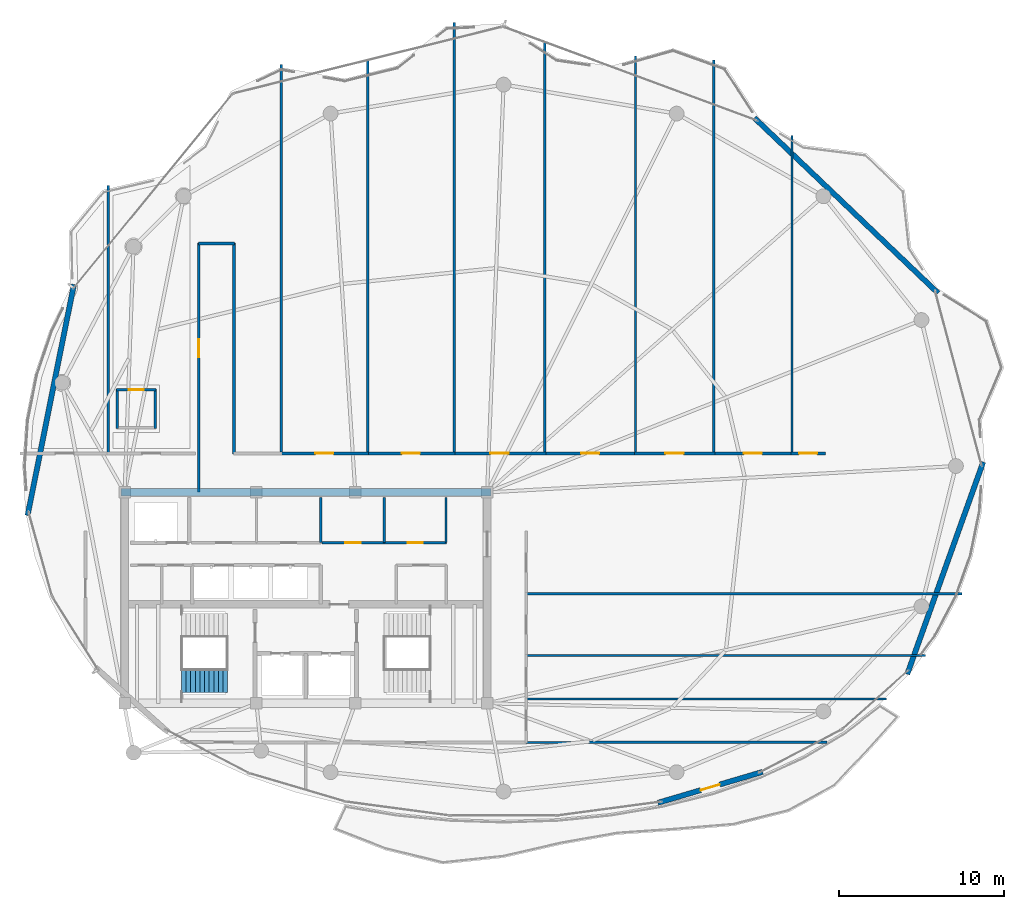
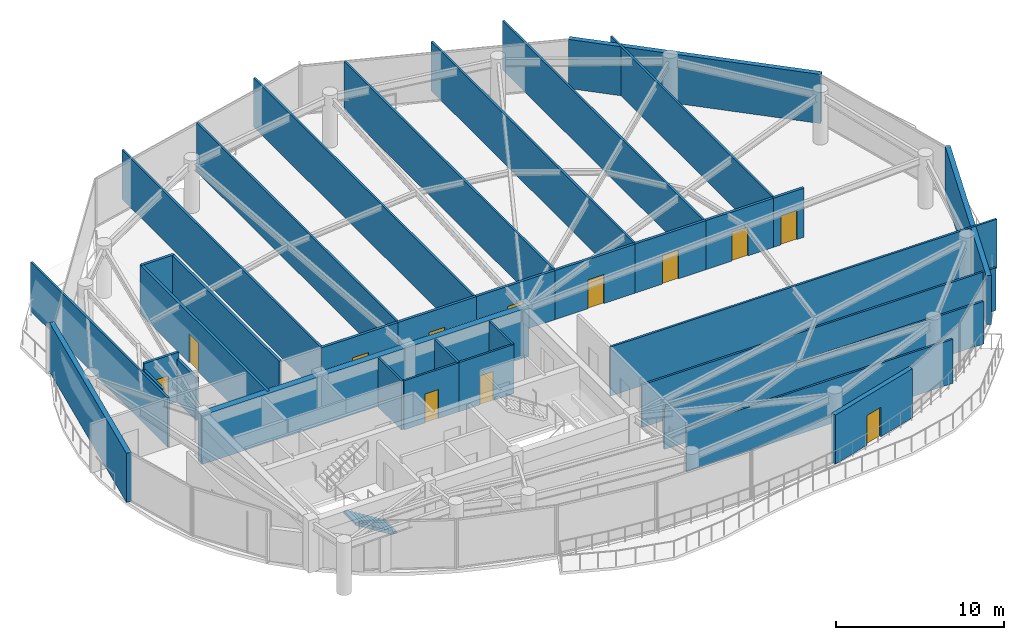
# One storey, part 25 of 29: 35 walls, 12 doors, 1 stair flight, 12 openings, 1 element without a shape of its own.
"""IFC4 building model written with IfcOpenShell, lengths in metres."""

from ifc_helpers import new_model, si_unit, direction, frame, frame_2d, origin, place, context, subcontext, project, spatial, polyline, rectangle, outline, extrude, material, layer, layer_set, type_object, element, fill, aggregate, save


model = new_model("IFC4")

# Units and contexts
model_context = context("Model", 3, precision=1e-05, world=origin(), true_north=direction((0.0, 1.0)))
body_context = subcontext(model_context, "Body", "Model", "MODEL_VIEW")
ifc_project = project(units=[si_unit("LENGTHUNIT", "METRE"), si_unit("AREAUNIT", "SQUARE_METRE"), si_unit("VOLUMEUNIT", "CUBIC_METRE"), si_unit("PLANEANGLEUNIT", "RADIAN"), si_unit("MASSUNIT", "GRAM", prefix="KILO")], contexts=[model_context])

# Site, building, storey
site_placement = place(None, origin())
site = spatial("IfcSite", under=ifc_project, at=site_placement, CompositionType="ELEMENT")
building_placement = place(site_placement, origin())
building = spatial("IfcBuilding", under=site, at=building_placement, Name="Kazevale Care Tower and Concert Hall", CompositionType="ELEMENT")
storey_placement = place(building_placement, frame((0.0, 0.0, 285.199951171875)))
storey = spatial("IfcBuildingStorey", under=building, at=storey_placement, Name="L75", CompositionType="ELEMENT", Elevation=285.199951171875)

# Wall
ifc_material_1 = material(Name="Acoustic Gypsum on Steel Stud", Category="steel")
ifc_layer_1 = layer(ifc_material_1, 0.139892578125)
ifc_layer_set_1 = layer_set([ifc_layer_1], Name="Acoustic Gypsum on Steel Stud")
wall_type_1 = type_object("IfcWallType", Name="Acoustic Care & Suite Partition 140", PredefinedType="PARTITIONING", material=ifc_layer_set_1)
wall_1_placement = place(storey_placement, frame((33.89990234375, 33.35009765625, 0.0), z_axis=(0.0, 0.0, 1.0), x_axis=(0.0, 1.0, 0.0)))
element("IfcWall", 1, at=wall_1_placement, inside=storey, type_object=wall_type_1, Name="wall:L75:c_rpl_e", PredefinedType="PARTITIONING", context=body_context, shape_type="SweptSolid", body=[
    extrude(rectangle(XDim=2.75, YDim=0.139892578125, at=frame_2d((1.375, 0.0))), origin(), (0.0, 0.0, 1.0), 3.56005859375),
])

# Wall, opening, door
wall_2_placement = place(storey_placement, frame((33.97998046875, 33.35009765625, 0.0), z_axis=(0.0, 0.0, 1.0), x_axis=(1.0, 0.0, 0.0)))
wall_2 = element("IfcWall", 2, at=wall_2_placement, inside=storey, type_object=wall_type_1, Name="wall:L75:c_rpm1_s", PredefinedType="PARTITIONING", context=body_context, shape_type="SweptSolid", body=[
    extrude(rectangle(XDim=3.77001953125, YDim=0.139892578125, at=frame_2d((1.885009765625, 0.0))), origin(), (0.0, 0.0, 1.0), 3.56005859375),
])
opening_1_placement = place(wall_2_placement, frame((1.425048828125, 0.0, 0.0)))
opening_1 = element("IfcOpeningElement", 3, at=opening_1_placement, cuts=wall_2, Name="Opening ID-900", PredefinedType="OPENING", context=body_context, shape_type="SweptSolid", body=[
    extrude(rectangle(XDim=0.919921875, YDim=2.10009765625, at=frame_2d((0.4599609375, 1.050048828125))), frame((0.0, 0.079833984375, 0.0), z_axis=(0.0, -1.0, 0.0), x_axis=(1.0, 0.0, 0.0)), (0.0, 0.0, 1.0), 0.159912109375),
])
ifc_material_2 = material(Name="Oak Timber Fire Leaf", Category="wood")
door_type_1 = type_object("IfcDoorType", Name="Bathroom & Service Door 920x2100", OperationType="NOTDEFINED", PredefinedType="DOOR", material=ifc_material_2)
door_1_placement = place(opening_1_placement, origin())
door_1 = element("IfcDoor", 4, at=door_1_placement, inside=storey, type_object=door_type_1, Name="door:L75:d_rpm1", OperationType="SINGLE_SWING_LEFT", OverallHeight=2.10009765625, OverallWidth=0.919921875, PredefinedType="DOOR", context=body_context, shape_type="SweptSolid", body=[
    extrude(rectangle(XDim=0.919921875, YDim=2.10009765625, at=frame_2d((0.4599609375, 1.050048828125))), frame((0.0, 0.02490234375, 0.0), z_axis=(0.0, -1.0, 0.0), x_axis=(1.0, 0.0, 0.0)), (0.0, 0.0, 1.0), 0.050048828125),
])
fill(opening_1, door_1)

wall_3_placement = place(storey_placement, frame((37.75, 33.35009765625, 0.0), z_axis=(0.0, 0.0, 1.0), x_axis=(1.0, 0.0, 0.0)))
wall_3 = element("IfcWall", 5, at=wall_3_placement, inside=storey, type_object=wall_type_1, Name="wall:L75:c_rpm2_s", PredefinedType="PARTITIONING", context=body_context, shape_type="SweptSolid", body=[
    extrude(rectangle(XDim=3.77001953125, YDim=0.139892578125, at=frame_2d((1.885009765625, 0.0))), origin(), (0.0, 0.0, 1.0), 3.56005859375),
])
opening_2_placement = place(wall_3_placement, frame((1.425048828125, 0.0, 0.0)))
opening_2 = element("IfcOpeningElement", 6, at=opening_2_placement, cuts=wall_3, Name="Opening ID-900", PredefinedType="OPENING", context=body_context, shape_type="SweptSolid", body=[
    extrude(rectangle(XDim=0.919921875, YDim=2.10009765625, at=frame_2d((0.4599609375, 1.050048828125))), frame((0.0, 0.079833984375, 0.0), z_axis=(0.0, -1.0, 0.0), x_axis=(1.0, 0.0, 0.0)), (0.0, 0.0, 1.0), 0.159912109375),
])
door_2_placement = place(opening_2_placement, origin())
door_2 = element("IfcDoor", 7, at=door_2_placement, inside=storey, type_object=door_type_1, Name="door:L75:d_rpm2", OperationType="SINGLE_SWING_RIGHT", OverallHeight=2.10009765625, OverallWidth=0.919921875, PredefinedType="DOOR", context=body_context, shape_type="SweptSolid", body=[
    extrude(rectangle(XDim=0.919921875, YDim=2.10009765625, at=frame_2d((0.4599609375, 1.050048828125))), frame((0.0, 0.02490234375, 0.0), z_axis=(0.0, -1.0, 0.0), x_axis=(1.0, 0.0, 0.0)), (0.0, 0.0, 1.0), 0.050048828125),
])
fill(opening_2, door_2)

# Walls
for number, where, z_axis, x_axis, name in (
    (8, (37.75, 33.35009765625, 0.0), (0.0, 0.0, 1.0), (0.0, 1.0, 0.0), "wall:L75:c_rpm_m"),
    (9, (41.5, 33.35009765625, 0.0), (0.0, 0.0, 1.0), (0.0, 1.0, 0.0), "wall:L75:c_rpm_e"),
):
    element("IfcWall", number, at=place(storey_placement, frame(where, z_axis=z_axis, x_axis=x_axis)), inside=storey, type_object=wall_type_1, Name=name, PredefinedType="PARTITIONING", context=body_context, shape_type="SweptSolid", body=[
        extrude(rectangle(XDim=2.75, YDim=0.139892578125, at=frame_2d((1.375, 0.0))), origin(), (0.0, 0.0, 1.0), 3.56005859375),
    ])
wall_4_placement = place(storey_placement, frame((21.0, 55.01904296875, 0.0), z_axis=(0.0, 0.0, 1.0), x_axis=(0.0, -1.0, 0.0)))
element("IfcWall", 10, at=wall_4_placement, inside=storey, type_object=wall_type_1, Name="wall:L75:auto_021", PredefinedType="PARTITIONING", context=body_context, shape_type="SweptSolid", body=[
    extrude(rectangle(XDim=16.27392578125, YDim=0.139892578125, at=frame_2d((8.136962890625, 0.0))), origin(), (0.0, 0.0, 1.0), 3.56005859375),
])
wall_5_placement = place(storey_placement, frame((31.5, 62.37890625, 0.0), z_axis=(0.0, 0.0, 1.0), x_axis=(0.0, -1.0, 0.0)))
element("IfcWall", 11, at=wall_5_placement, inside=storey, type_object=wall_type_1, Name="wall:L75:auto_023", PredefinedType="PARTITIONING", context=body_context, shape_type="SweptSolid", body=[
    extrude(rectangle(XDim=23.6337890625, YDim=0.139892578125, at=frame_2d((11.81689453125, 0.0))), origin(), (0.0, 0.0, 1.0), 3.56005859375),
])
wall_6_placement = place(storey_placement, frame((36.75, 62.62158203125, 0.0), z_axis=(0.0, 0.0, 1.0), x_axis=(0.0, -1.0, 0.0)))
element("IfcWall", 12, at=wall_6_placement, inside=storey, type_object=wall_type_1, Name="wall:L75:auto_024", PredefinedType="PARTITIONING", context=body_context, shape_type="SweptSolid", body=[
    extrude(rectangle(XDim=23.87646484375, YDim=0.139892578125, at=frame_2d((11.938232421875, 0.0))), origin(), (0.0, 0.0, 1.0), 3.56005859375),
])
wall_7_placement = place(storey_placement, frame((42.0, 64.905029296875, 0.0), z_axis=(0.0, 0.0, 1.0), x_axis=(0.0, -1.0, 0.0)))
element("IfcWall", 13, at=wall_7_placement, inside=storey, type_object=wall_type_1, Name="wall:L75:auto_025", PredefinedType="PARTITIONING", context=body_context, shape_type="SweptSolid", body=[
    extrude(rectangle(XDim=26.159912109375, YDim=0.139892578125, at=frame_2d((13.080078125, 0.0))), origin(), (0.0, 0.0, 1.0), 3.56005859375),
])
wall_8_placement = place(storey_placement, frame((47.5, 63.71435546875, 0.0), z_axis=(0.0, 0.0, 1.0), x_axis=(0.0, -1.0, 0.0)))
element("IfcWall", 14, at=wall_8_placement, inside=storey, type_object=wall_type_1, Name="wall:L75:auto_026", PredefinedType="PARTITIONING", context=body_context, shape_type="SweptSolid", body=[
    extrude(rectangle(XDim=24.96923828125, YDim=0.139892578125, at=frame_2d((12.484619140625, 0.0))), origin(), (0.0, 0.0, 1.0), 3.56005859375),
])
wall_9_placement = place(storey_placement, frame((53.0, 62.89208984375, 0.0), z_axis=(0.0, 0.0, 1.0), x_axis=(0.0, -1.0, 0.0)))
element("IfcWall", 15, at=wall_9_placement, inside=storey, type_object=wall_type_1, Name="wall:L75:auto_027", PredefinedType="PARTITIONING", context=body_context, shape_type="SweptSolid", body=[
    extrude(rectangle(XDim=24.14697265625, YDim=0.139892578125, at=frame_2d((12.073486328125, 0.0))), origin(), (0.0, 0.0, 1.0), 3.56005859375),
])
wall_10_placement = place(storey_placement, frame((57.75, 62.653076171875, 0.0), z_axis=(0.0, 0.0, 1.0), x_axis=(0.0, -1.0, 0.0)))
element("IfcWall", 16, at=wall_10_placement, inside=storey, type_object=wall_type_1, Name="wall:L75:auto_028", PredefinedType="PARTITIONING", context=body_context, shape_type="SweptSolid", body=[
    extrude(rectangle(XDim=23.907958984375, YDim=0.139892578125, at=frame_2d((11.9541015625, 0.0))), origin(), (0.0, 0.0, 1.0), 3.56005859375),
])
wall_11_placement = place(storey_placement, frame((62.5, 58.06396484375, 0.0), z_axis=(0.0, 0.0, 1.0), x_axis=(0.0, -1.0, 0.0)))
element("IfcWall", 17, at=wall_11_placement, inside=storey, type_object=wall_type_1, Name="wall:L75:auto_029", PredefinedType="PARTITIONING", context=body_context, shape_type="SweptSolid", body=[
    extrude(rectangle(XDim=19.31884765625, YDim=0.139892578125, at=frame_2d((9.659423828125, 0.0))), origin(), (0.0, 0.0, 1.0), 3.56005859375),
])
wall_12_placement = place(storey_placement, frame((46.344970703125, 23.860107421875, 0.0), z_axis=(0.0, 0.0, 1.0), x_axis=(1.0, 0.0, 0.0)))
element("IfcWall", 18, at=wall_12_placement, inside=storey, type_object=wall_type_1, Name="wall:L75:auto_030", PredefinedType="PARTITIONING", context=body_context, shape_type="SweptSolid", body=[
    extrude(rectangle(XDim=21.89794921875, YDim=0.139892578125, at=frame_2d((10.948974609375, 0.0))), origin(), (0.0, 0.0, 1.0), 3.090087890625),
])
wall_13_placement = place(storey_placement, frame((64.62109375, 21.242919921875, 0.0), z_axis=(0.0, 0.0, 1.0), x_axis=(-0.999999524525, -0.000975166183, 0.0)))
element("IfcWall", 19, at=wall_13_placement, inside=storey, type_object=wall_type_1, Name="wall:L75:auto_031", PredefinedType="PARTITIONING", context=body_context, shape_type="SweptSolid", body=[
    extrude(rectangle(XDim=18.276123046875, YDim=0.139892578125, at=frame_2d((9.13818359375, 0.0))), origin(), (0.0, 0.0, 1.0), 3.196044921875),
])
wall_14_placement = place(storey_placement, frame((46.344970703125, 26.5, 0.0), z_axis=(0.0, 0.0, 1.0), x_axis=(1.0, 0.0, 0.0)))
element("IfcWall", 20, at=wall_14_placement, inside=storey, type_object=wall_type_1, Name="wall:L75:auto_032", PredefinedType="PARTITIONING", context=body_context, shape_type="SweptSolid", body=[
    extrude(rectangle(XDim=24.27099609375, YDim=0.139892578125, at=frame_2d((12.135498046875, 0.0))), origin(), (0.0, 0.0, 1.0), 3.090087890625),
])
wall_15_placement = place(storey_placement, frame((46.344970703125, 30.25, 0.0), z_axis=(0.0, 0.0, 1.0), x_axis=(1.0, 0.0, 0.0)))
element("IfcWall", 21, at=wall_15_placement, inside=storey, type_object=wall_type_1, Name="wall:L75:auto_033", PredefinedType="PARTITIONING", context=body_context, shape_type="SweptSolid", body=[
    extrude(rectangle(XDim=26.489990234375, YDim=0.139892578125, at=frame_2d((13.2451171875, 0.0))), origin(), (0.0, 0.0, 1.0), 3.56005859375),
])
ifc_material_3 = material(Name="Concrete C50", Category="concrete")
ifc_layer_2 = layer(ifc_material_3, 0.449951171875)
ifc_layer_set_2 = layer_set([ifc_layer_2], Name="Concrete C50")
wall_type_2 = type_object("IfcWallType", Name="Core Shear Wall 450 C50", PredefinedType="SHEAR", material=ifc_layer_set_2)
wall_16_placement = place(storey_placement, frame((21.77490234375, 36.39990234375, 0.0), z_axis=(0.0, 0.0, 1.0), x_axis=(1.0, 0.0, 0.0)))
element("IfcWall", 22, at=wall_16_placement, inside=storey, type_object=wall_type_2, Name="wall:L75:core:N", PredefinedType="SHEAR", context=body_context, shape_type="SweptSolid", body=[
    extrude(rectangle(XDim=22.4501953125, YDim=0.449951171875, at=frame_2d((11.22509765625, 0.0))), origin(), (0.0, 0.0, 1.0), 3.56005859375),
])

# Wall, opening, door
ifc_material_4 = material(Name="Concrete C40 and Acoustic Gypsum", Category="concrete")
ifc_layer_3 = layer(ifc_material_4, 0.179931640625)
ifc_layer_set_3 = layer_set([ifc_layer_3], Name="Concrete C40 and Acoustic Gypsum")
wall_type_3 = type_object("IfcWallType", Name="Fire-Rated Corridor & Party Wall 180", PredefinedType="PARTITIONING", material=ifc_layer_set_3)
wall_17_placement = place(storey_placement, frame((26.5, 36.409912109375, 0.0), z_axis=(0.0, 0.0, 1.0), x_axis=(0.0, 1.0, 0.0)))
wall_17 = element("IfcWall", 23, at=wall_17_placement, inside=storey, type_object=wall_type_3, Name="wall:L75:auto_003", PredefinedType="PARTITIONING", context=body_context, shape_type="SweptSolid", body=[
    extrude(rectangle(XDim=15.1201171875, YDim=0.179931640625, at=frame_2d((7.56005859375, 0.0))), origin(), (0.0, 0.0, 1.0), 3.56005859375),
])
opening_3_placement = place(wall_17_placement, frame((8.177978515625, 0.0, 0.0)))
opening_3 = element("IfcOpeningElement", 24, at=opening_3_placement, cuts=wall_17, Name="Opening ID-1100", PredefinedType="OPENING", context=body_context, shape_type="SweptSolid", body=[
    extrude(rectangle(XDim=1.10009765625, YDim=2.10009765625, at=frame_2d((0.550048828125, 1.050048828125))), frame((0.0, 0.099853515625, 0.0), z_axis=(0.0, -1.0, 0.0), x_axis=(1.0, 0.0, 0.0)), (0.0, 0.0, 1.0), 0.199951171875),
])
door_type_2 = type_object("IfcDoorType", Name="Care Bedroom Accessible Door 1100x2100", OperationType="NOTDEFINED", PredefinedType="DOOR", material=ifc_material_2)
door_3_placement = place(opening_3_placement, origin())
door_3 = element("IfcDoor", 25, at=door_3_placement, inside=storey, type_object=door_type_2, Name="door:L75:ad_003", OperationType="SINGLE_SWING_LEFT", OverallHeight=2.10009765625, OverallWidth=1.10009765625, PredefinedType="DOOR", context=body_context, shape_type="SweptSolid", body=[
    extrude(rectangle(XDim=1.10009765625, YDim=2.10009765625, at=frame_2d((0.550048828125, 1.050048828125))), frame((0.0, 0.02490234375, 0.0), z_axis=(0.0, -1.0, 0.0), x_axis=(1.0, 0.0, 0.0)), (0.0, 0.0, 1.0), 0.050048828125),
])
fill(opening_3, door_3)

# Walls
wall_18_placement = place(storey_placement, frame((28.64990234375, 51.530029296875, 0.0), z_axis=(0.0, 0.0, 1.0), x_axis=(0.0, -1.0, 0.0)))
element("IfcWall", 26, at=wall_18_placement, inside=storey, type_object=wall_type_3, Name="wall:L75:auto_004", PredefinedType="PARTITIONING", context=body_context, shape_type="SweptSolid", body=[
    extrude(rectangle(XDim=12.784912109375, YDim=0.179931640625, at=frame_2d((6.392578125, 0.0))), origin(), (0.0, 0.0, 1.0), 3.56005859375),
])
wall_19_placement = place(storey_placement, frame((26.469970703125, 51.5, 0.0), z_axis=(0.0, 0.0, 1.0), x_axis=(1.0, 0.0, 0.0)))
element("IfcWall", 27, at=wall_19_placement, inside=storey, type_object=wall_type_3, Name="wall:L75:auto_006", PredefinedType="PARTITIONING", context=body_context, shape_type="SweptSolid", body=[
    extrude(rectangle(XDim=2.2099609375, YDim=0.179931640625, at=frame_2d((1.10498046875, 0.0))), origin(), (0.0, 0.0, 1.0), 3.56005859375),
])

# Wall, opening, door
wall_20_placement = place(storey_placement, frame((31.43505859375, 38.77490234375, 0.0), z_axis=(0.0, 0.0, 1.0), x_axis=(1.0, 0.0, 0.0)))
wall_20 = element("IfcWall", 28, at=wall_20_placement, inside=storey, type_object=wall_type_3, Name="wall:L75:auto_007", PredefinedType="PARTITIONING", context=body_context, shape_type="SweptSolid", body=[
    extrude(rectangle(XDim=5.3798828125, YDim=0.179931640625, at=frame_2d((2.68994140625, 0.0))), origin(), (0.0, 0.0, 1.0), 3.56005859375),
])
opening_4_placement = place(wall_20_placement, frame((2.139892578125, 0.0, 0.0)))
opening_4 = element("IfcOpeningElement", 29, at=opening_4_placement, cuts=wall_20, Name="Opening ID-1100", PredefinedType="OPENING", context=body_context, shape_type="SweptSolid", body=[
    extrude(rectangle(XDim=1.10009765625, YDim=2.10009765625, at=frame_2d((0.550048828125, 1.050048828125))), frame((0.0, 0.099853515625, 0.0), z_axis=(0.0, -1.0, 0.0), x_axis=(1.0, 0.0, 0.0)), (0.0, 0.0, 1.0), 0.199951171875),
])
door_4_placement = place(opening_4_placement, origin())
door_4 = element("IfcDoor", 30, at=door_4_placement, inside=storey, type_object=door_type_2, Name="door:L75:ad_007", OperationType="SINGLE_SWING_LEFT", OverallHeight=2.10009765625, OverallWidth=1.10009765625, PredefinedType="DOOR", context=body_context, shape_type="SweptSolid", body=[
    extrude(rectangle(XDim=1.10009765625, YDim=2.10009765625, at=frame_2d((0.550048828125, 1.050048828125))), frame((0.0, 0.02490234375, 0.0), z_axis=(0.0, -1.0, 0.0), x_axis=(1.0, 0.0, 0.0)), (0.0, 0.0, 1.0), 0.050048828125),
])
fill(opening_4, door_4)

wall_21_placement = place(storey_placement, frame((36.68505859375, 38.77490234375, 0.0), z_axis=(0.0, 0.0, 1.0), x_axis=(1.0, 0.0, 0.0)))
wall_21 = element("IfcWall", 31, at=wall_21_placement, inside=storey, type_object=wall_type_3, Name="wall:L75:auto_008", PredefinedType="PARTITIONING", context=body_context, shape_type="SweptSolid", body=[
    extrude(rectangle(XDim=5.3798828125, YDim=0.179931640625, at=frame_2d((2.68994140625, 0.0))), origin(), (0.0, 0.0, 1.0), 3.56005859375),
])
opening_5_placement = place(wall_21_placement, frame((2.139892578125, 0.0, 0.0)))
opening_5 = element("IfcOpeningElement", 32, at=opening_5_placement, cuts=wall_21, Name="Opening ID-1100", PredefinedType="OPENING", context=body_context, shape_type="SweptSolid", body=[
    extrude(rectangle(XDim=1.10009765625, YDim=2.10009765625, at=frame_2d((0.550048828125, 1.050048828125))), frame((0.0, 0.099853515625, 0.0), z_axis=(0.0, -1.0, 0.0), x_axis=(1.0, 0.0, 0.0)), (0.0, 0.0, 1.0), 0.199951171875),
])
door_5_placement = place(opening_5_placement, origin())
door_5 = element("IfcDoor", 33, at=door_5_placement, inside=storey, type_object=door_type_2, Name="door:L75:ad_008", OperationType="SINGLE_SWING_LEFT", OverallHeight=2.10009765625, OverallWidth=1.10009765625, PredefinedType="DOOR", context=body_context, shape_type="SweptSolid", body=[
    extrude(rectangle(XDim=1.10009765625, YDim=2.10009765625, at=frame_2d((0.550048828125, 1.050048828125))), frame((0.0, 0.02490234375, 0.0), z_axis=(0.0, -1.0, 0.0), x_axis=(1.0, 0.0, 0.0)), (0.0, 0.0, 1.0), 0.050048828125),
])
fill(opening_5, door_5)

wall_22_placement = place(storey_placement, frame((41.93505859375, 38.77490234375, 0.0), z_axis=(0.0, 0.0, 1.0), x_axis=(1.0, 0.0, 0.0)))
wall_22 = element("IfcWall", 34, at=wall_22_placement, inside=storey, type_object=wall_type_3, Name="wall:L75:auto_009", PredefinedType="PARTITIONING", context=body_context, shape_type="SweptSolid", body=[
    extrude(rectangle(XDim=5.6298828125, YDim=0.179931640625, at=frame_2d((2.81494140625, 0.0))), origin(), (0.0, 0.0, 1.0), 3.56005859375),
])
opening_6_placement = place(wall_22_placement, frame((2.264892578125, 0.0, 0.0)))
opening_6 = element("IfcOpeningElement", 35, at=opening_6_placement, cuts=wall_22, Name="Opening ID-1100", PredefinedType="OPENING", context=body_context, shape_type="SweptSolid", body=[
    extrude(rectangle(XDim=1.10009765625, YDim=2.10009765625, at=frame_2d((0.550048828125, 1.050048828125))), frame((0.0, 0.099853515625, 0.0), z_axis=(0.0, -1.0, 0.0), x_axis=(1.0, 0.0, 0.0)), (0.0, 0.0, 1.0), 0.199951171875),
])
door_6_placement = place(opening_6_placement, origin())
door_6 = element("IfcDoor", 36, at=door_6_placement, inside=storey, type_object=door_type_2, Name="door:L75:ad_009", OperationType="SINGLE_SWING_LEFT", OverallHeight=2.10009765625, OverallWidth=1.10009765625, PredefinedType="DOOR", context=body_context, shape_type="SweptSolid", body=[
    extrude(rectangle(XDim=1.10009765625, YDim=2.10009765625, at=frame_2d((0.550048828125, 1.050048828125))), frame((0.0, 0.02490234375, 0.0), z_axis=(0.0, -1.0, 0.0), x_axis=(1.0, 0.0, 0.0)), (0.0, 0.0, 1.0), 0.050048828125),
])
fill(opening_6, door_6)

wall_23_placement = place(storey_placement, frame((47.43505859375, 38.77490234375, 0.0), z_axis=(0.0, 0.0, 1.0), x_axis=(1.0, 0.0, 0.0)))
wall_23 = element("IfcWall", 37, at=wall_23_placement, inside=storey, type_object=wall_type_3, Name="wall:L75:auto_010", PredefinedType="PARTITIONING", context=body_context, shape_type="SweptSolid", body=[
    extrude(rectangle(XDim=5.6298828125, YDim=0.179931640625, at=frame_2d((2.81494140625, 0.0))), origin(), (0.0, 0.0, 1.0), 3.56005859375),
])
opening_7_placement = place(wall_23_placement, frame((2.264892578125, 0.0, 0.0)))
opening_7 = element("IfcOpeningElement", 38, at=opening_7_placement, cuts=wall_23, Name="Opening ID-1100", PredefinedType="OPENING", context=body_context, shape_type="SweptSolid", body=[
    extrude(rectangle(XDim=1.10009765625, YDim=2.10009765625, at=frame_2d((0.550048828125, 1.050048828125))), frame((0.0, 0.099853515625, 0.0), z_axis=(0.0, -1.0, 0.0), x_axis=(1.0, 0.0, 0.0)), (0.0, 0.0, 1.0), 0.199951171875),
])
door_7_placement = place(opening_7_placement, origin())
door_7 = element("IfcDoor", 39, at=door_7_placement, inside=storey, type_object=door_type_2, Name="door:L75:ad_010", OperationType="SINGLE_SWING_LEFT", OverallHeight=2.10009765625, OverallWidth=1.10009765625, PredefinedType="DOOR", context=body_context, shape_type="SweptSolid", body=[
    extrude(rectangle(XDim=1.10009765625, YDim=2.10009765625, at=frame_2d((0.550048828125, 1.050048828125))), frame((0.0, 0.02490234375, 0.0), z_axis=(0.0, -1.0, 0.0), x_axis=(1.0, 0.0, 0.0)), (0.0, 0.0, 1.0), 0.050048828125),
])
fill(opening_7, door_7)

wall_24_placement = place(storey_placement, frame((52.93505859375, 38.77490234375, 0.0), z_axis=(0.0, 0.0, 1.0), x_axis=(1.0, 0.0, 0.0)))
wall_24 = element("IfcWall", 40, at=wall_24_placement, inside=storey, type_object=wall_type_3, Name="wall:L75:auto_011", PredefinedType="PARTITIONING", context=body_context, shape_type="SweptSolid", body=[
    extrude(rectangle(XDim=4.8798828125, YDim=0.179931640625, at=frame_2d((2.43994140625, 0.0))), origin(), (0.0, 0.0, 1.0), 3.56005859375),
])
opening_8_placement = place(wall_24_placement, frame((1.889892578125, 0.0, 0.0)))
opening_8 = element("IfcOpeningElement", 41, at=opening_8_placement, cuts=wall_24, Name="Opening ID-1100", PredefinedType="OPENING", context=body_context, shape_type="SweptSolid", body=[
    extrude(rectangle(XDim=1.10009765625, YDim=2.10009765625, at=frame_2d((0.550048828125, 1.050048828125))), frame((0.0, 0.099853515625, 0.0), z_axis=(0.0, -1.0, 0.0), x_axis=(1.0, 0.0, 0.0)), (0.0, 0.0, 1.0), 0.199951171875),
])
door_8_placement = place(opening_8_placement, origin())
door_8 = element("IfcDoor", 42, at=door_8_placement, inside=storey, type_object=door_type_2, Name="door:L75:ad_011", OperationType="SINGLE_SWING_LEFT", OverallHeight=2.10009765625, OverallWidth=1.10009765625, PredefinedType="DOOR", context=body_context, shape_type="SweptSolid", body=[
    extrude(rectangle(XDim=1.10009765625, YDim=2.10009765625, at=frame_2d((0.550048828125, 1.050048828125))), frame((0.0, 0.02490234375, 0.0), z_axis=(0.0, -1.0, 0.0), x_axis=(1.0, 0.0, 0.0)), (0.0, 0.0, 1.0), 0.050048828125),
])
fill(opening_8, door_8)

wall_25_placement = place(storey_placement, frame((57.68505859375, 38.77490234375, 0.0), z_axis=(0.0, 0.0, 1.0), x_axis=(1.0, 0.0, 0.0)))
wall_25 = element("IfcWall", 43, at=wall_25_placement, inside=storey, type_object=wall_type_3, Name="wall:L75:auto_012", PredefinedType="PARTITIONING", context=body_context, shape_type="SweptSolid", body=[
    extrude(rectangle(XDim=4.8798828125, YDim=0.179931640625, at=frame_2d((2.43994140625, 0.0))), origin(), (0.0, 0.0, 1.0), 3.56005859375),
])
opening_9_placement = place(wall_25_placement, frame((1.889892578125, 0.0, 0.0)))
opening_9 = element("IfcOpeningElement", 44, at=opening_9_placement, cuts=wall_25, Name="Opening ID-1100", PredefinedType="OPENING", context=body_context, shape_type="SweptSolid", body=[
    extrude(rectangle(XDim=1.10009765625, YDim=2.10009765625, at=frame_2d((0.550048828125, 1.050048828125))), frame((0.0, 0.099853515625, 0.0), z_axis=(0.0, -1.0, 0.0), x_axis=(1.0, 0.0, 0.0)), (0.0, 0.0, 1.0), 0.199951171875),
])
door_9_placement = place(opening_9_placement, origin())
door_9 = element("IfcDoor", 45, at=door_9_placement, inside=storey, type_object=door_type_2, Name="door:L75:ad_012", OperationType="SINGLE_SWING_LEFT", OverallHeight=2.10009765625, OverallWidth=1.10009765625, PredefinedType="DOOR", context=body_context, shape_type="SweptSolid", body=[
    extrude(rectangle(XDim=1.10009765625, YDim=2.10009765625, at=frame_2d((0.550048828125, 1.050048828125))), frame((0.0, 0.02490234375, 0.0), z_axis=(0.0, -1.0, 0.0), x_axis=(1.0, 0.0, 0.0)), (0.0, 0.0, 1.0), 0.050048828125),
])
fill(opening_9, door_9)

wall_26_placement = place(storey_placement, frame((62.43505859375, 38.77490234375, 0.0), z_axis=(0.0, 0.0, 1.0), x_axis=(1.0, 0.0, 0.0)))
wall_26 = element("IfcWall", 46, at=wall_26_placement, inside=storey, type_object=wall_type_3, Name="wall:L75:auto_013", PredefinedType="PARTITIONING", context=body_context, shape_type="SweptSolid", body=[
    extrude(rectangle(XDim=2.094970703125, YDim=0.179931640625, at=frame_2d((1.04736328125, 0.0))), origin(), (0.0, 0.0, 1.0), 3.56005859375),
])
opening_10_placement = place(wall_26_placement, frame((0.498046875, 0.0, 0.0)))
opening_10 = element("IfcOpeningElement", 47, at=opening_10_placement, cuts=wall_26, Name="Opening ID-1100", PredefinedType="OPENING", context=body_context, shape_type="SweptSolid", body=[
    extrude(rectangle(XDim=1.10009765625, YDim=2.10009765625, at=frame_2d((0.550048828125, 1.050048828125))), frame((0.0, 0.099853515625, 0.0), z_axis=(0.0, -1.0, 0.0), x_axis=(1.0, 0.0, 0.0)), (0.0, 0.0, 1.0), 0.199951171875),
])
door_10_placement = place(opening_10_placement, origin())
door_10 = element("IfcDoor", 48, at=door_10_placement, inside=storey, type_object=door_type_2, Name="door:L75:ad_013", OperationType="SINGLE_SWING_LEFT", OverallHeight=2.10009765625, OverallWidth=1.10009765625, PredefinedType="DOOR", context=body_context, shape_type="SweptSolid", body=[
    extrude(rectangle(XDim=1.10009765625, YDim=2.10009765625, at=frame_2d((0.550048828125, 1.050048828125))), frame((0.0, 0.02490234375, 0.0), z_axis=(0.0, -1.0, 0.0), x_axis=(1.0, 0.0, 0.0)), (0.0, 0.0, 1.0), 0.050048828125),
])
fill(opening_10, door_10)

ifc_layer_4 = layer(ifc_material_1, 0.159912109375)
ifc_layer_set_4 = layer_set([ifc_layer_4], Name="Acoustic Gypsum on Steel Stud")
wall_type_4 = type_object("IfcWallType", Name="Moisture-Resistant Bathroom Plumbing Wall 160", PredefinedType="PLUMBINGWALL", material=ifc_layer_set_4)
wall_27_placement = place(storey_placement, frame((21.510009765625, 42.625, 0.0), z_axis=(0.0, 0.0, 1.0), x_axis=(1.0, 0.0, 0.0)))
wall_27 = element("IfcWall", 49, at=wall_27_placement, inside=storey, type_object=wall_type_4, Name="wall:L75:nb2a_ens_wn", PredefinedType="PLUMBINGWALL", context=body_context, shape_type="SweptSolid", body=[
    extrude(rectangle(XDim=2.3798828125, YDim=0.159912109375, at=frame_2d((1.18994140625, 0.0))), origin(), (0.0, 0.0, 1.0), 3.56005859375),
])
opening_11_placement = place(wall_27_placement, frame((0.739990234375, 0.0, 0.0)))
opening_11 = element("IfcOpeningElement", 50, at=opening_11_placement, cuts=wall_27, Name="Opening ID-900", PredefinedType="OPENING", context=body_context, shape_type="SweptSolid", body=[
    extrude(rectangle(XDim=0.919921875, YDim=2.10009765625, at=frame_2d((0.4599609375, 1.050048828125))), frame((0.0, 0.08984375, 0.0), z_axis=(0.0, -1.0, 0.0), x_axis=(1.0, 0.0, 0.0)), (0.0, 0.0, 1.0), 0.179931640625),
])
door_11_placement = place(opening_11_placement, origin())
door_11 = element("IfcDoor", 51, at=door_11_placement, inside=storey, type_object=door_type_1, Name="door:L75:nb2a_ens_d", OperationType="SINGLE_SWING_LEFT", OverallHeight=2.10009765625, OverallWidth=0.919921875, PredefinedType="DOOR", context=body_context, shape_type="SweptSolid", body=[
    extrude(rectangle(XDim=0.919921875, YDim=2.10009765625, at=frame_2d((0.4599609375, 1.050048828125))), frame((0.0, 0.02490234375, 0.0), z_axis=(0.0, -1.0, 0.0), x_axis=(1.0, 0.0, 0.0)), (0.0, 0.0, 1.0), 0.050048828125),
])
fill(opening_11, door_11)

# Walls
for number, where, z_axis, x_axis, name in (
    (52, (21.550048828125, 40.284912109375, 0.0), (0.0, 0.0, 1.0), (0.0, 1.0, 0.0), "wall:L75:nb2a_ens_ww"),
    (53, (23.85009765625, 40.284912109375, 0.0), (0.0, 0.0, 1.0), (0.0, 1.0, 0.0), "wall:L75:nb2a_ens_we"),
):
    element("IfcWall", number, at=place(storey_placement, frame(where, z_axis=z_axis, x_axis=x_axis)), inside=storey, type_object=wall_type_4, Name=name, PredefinedType="PLUMBINGWALL", context=body_context, shape_type="SweptSolid", body=[
        extrude(rectangle(XDim=2.380126953125, YDim=0.159912109375, at=frame_2d((1.18994140625, 0.0))), origin(), (0.0, 0.0, 1.0), 3.090087890625),
    ])
ifc_material_5 = material(Name="Concrete C40 with Honed Limestone Cladding", Category="masonry")
ifc_layer_5 = layer(ifc_material_5, 0.320068359375)
ifc_layer_set_5 = layer_set([ifc_layer_5], Name="Concrete C40 with Honed Limestone Cladding")
wall_type_5 = type_object("IfcWallType", Name="Tower Honed Limestone Spandrel Wall 320", PredefinedType="STANDARD", material=ifc_layer_set_5)
wall_28_placement = place(storey_placement, frame((74.10791015625, 38.2451171875, 0.0), z_axis=(0.0, 0.0, 1.0), x_axis=(-0.337073777429, -0.941478235845, 0.0)))
element("IfcWall", 54, at=wall_28_placement, inside=storey, type_object=wall_type_5, Name="wall:cw:L75:f01", PredefinedType="STANDARD", context=body_context, shape_type="SweptSolid", body=[
    extrude(rectangle(XDim=13.67333984375, YDim=0.320068359375, at=frame_2d((6.836669921875, 0.0))), origin(), (0.0, 0.0, 1.0), 3.56005859375),
])

# Wall, opening, door
wall_29_placement = place(storey_placement, frame((60.718017578125, 19.43896484375, 0.0), z_axis=(0.0, 0.0, 1.0), x_axis=(-0.959026574291, -0.283316130503, 0.0)))
wall_29 = element("IfcWall", 55, at=wall_29_placement, inside=storey, type_object=wall_type_5, Name="wall:L75:bal_host", PredefinedType="STANDARD", context=body_context, shape_type="SweptSolid", body=[
    extrude(rectangle(XDim=6.6318359375, YDim=0.320068359375, at=frame_2d((3.31591796875, 0.0))), origin(), (0.0, 0.0, 1.0), 3.56005859375),
])
opening_12_placement = place(wall_29_placement, frame((2.716064453125, 0.0, 0.0)))
opening_12 = element("IfcOpeningElement", 56, at=opening_12_placement, cuts=wall_29, Name="Opening BD-1200", PredefinedType="OPENING", context=body_context, shape_type="SweptSolid", body=[
    extrude(rectangle(XDim=1.199951171875, YDim=2.14990234375, at=frame_2d((0.60009765625, 1.074951171875))), frame((0.0, 0.169921875, 0.0), z_axis=(0.0, -1.0, 0.0), x_axis=(1.0, 0.0, 0.0)), (0.0, 0.0, 1.0), 0.340087890625),
])
ifc_material_6 = material(Name="Aluminium 6063-T6 and Low-E Glass", Category="aluminium")
door_type_3 = type_object("IfcDoorType", Name="Sheltered Balcony Glazed Door 1200x2150", OperationType="NOTDEFINED", PredefinedType="DOOR", material=ifc_material_6)
door_12_placement = place(opening_12_placement, origin())
door_12 = element("IfcDoor", 57, at=door_12_placement, inside=storey, type_object=door_type_3, Name="door:L75:BD-1", OperationType="SINGLE_SWING_LEFT", OverallHeight=2.14990234375, OverallWidth=1.199951171875, PredefinedType="DOOR", context=body_context, shape_type="SweptSolid", body=[
    extrude(rectangle(XDim=1.199951171875, YDim=2.14990234375, at=frame_2d((0.60009765625, 1.074951171875))), frame((0.0, 0.02490234375, 0.0), z_axis=(0.0, -1.0, 0.0), x_axis=(1.0, 0.0, 0.0)), (0.0, 0.0, 1.0), 0.050048828125),
])
fill(opening_12, door_12)

# Walls
wall_30_placement = place(storey_placement, frame((16.111083984375, 34.9990234375, 0.0), z_axis=(0.0, 0.0, 1.0), x_axis=(0.196720235208, 0.980459662128, 0.0)))
element("IfcWall", 58, at=wall_30_placement, inside=storey, type_object=wall_type_5, Name="wall:cw:L75:f13", PredefinedType="STANDARD", context=body_context, shape_type="SweptSolid", body=[
    extrude(rectangle(XDim=14.29931640625, YDim=0.320068359375, at=frame_2d((7.149658203125, 0.0))), origin(), (0.0, 0.0, 1.0), 3.56005859375),
])
wall_31_placement = place(storey_placement, frame((60.218994140625, 59.1298828125, 0.0), z_axis=(0.0, 0.0, 1.0), x_axis=(0.723493659852, -0.690331025056, 0.0)))
element("IfcWall", 59, at=wall_31_placement, inside=storey, type_object=wall_type_5, Name="wall:cw:L75:f17", PredefinedType="STANDARD", context=body_context, shape_type="SweptSolid", body=[
    extrude(rectangle(XDim=15.408447265625, YDim=0.320068359375, at=frame_2d((7.7041015625, 0.0))), origin(), (0.0, 0.0, 1.0), 3.56005859375),
])

# Stair, stair flight
ifc_material_7 = material(Name="Concrete C40", Category="concrete")
stair_type = type_object("IfcStairType", Name="Exit Stair Assembly ST1-U", PredefinedType="HALF_TURN_STAIR", material=ifc_material_7)
stair_placement = place(storey_placement, origin())
stair = element("IfcStair", 60, at=stair_placement, inside=storey, type_object=stair_type, Name="stair:L75:ST1", PredefinedType="HALF_TURN_STAIR")
ifc_layer_6 = layer(ifc_material_7, 0.159912109375)
ifc_layer_set_6 = layer_set([ifc_layer_6], Name="Concrete C40")
stair_flight_type = type_object("IfcStairFlightType", Name="Exit Stair Flight ST1-U", PredefinedType="STRAIGHT", material=ifc_layer_set_6)
stair_flight_placement = place(storey_placement, frame((28.25, 24.969970703125, 0.0), z_axis=(0.0, 0.0, 1.0), x_axis=(-1.0, 0.0, 0.0)))
stair_flight = element("IfcStairFlight", 61, at=stair_flight_placement, type_object=stair_flight_type, Name="ST1-U flight 1", NumberOfRisers=11, NumberOfTreads=10, PredefinedType="STRAIGHT", RiserHeight=0.172727, TreadLength=0.28, context=body_context, shape_type="SweptSolid", body=[
    extrude(outline(polyline([(0.0, 0.0), (0.0, 0.172607421875), (0.280029296875, 0.172607421875), (0.280029296875, 0.345458984375), (0.56005859375, 0.345458984375), (0.56005859375, 0.51806640625), (0.840087890625, 0.51806640625), (0.840087890625, 0.69091796875), (1.1201171875, 0.69091796875), (1.1201171875, 0.863525390625), (1.39990234375, 0.863525390625), (1.39990234375, 1.036376953125), (1.679931640625, 1.036376953125), (1.679931640625, 1.208984375), (1.9599609375, 1.208984375), (1.9599609375, 1.3818359375), (2.239990234375, 1.3818359375), (2.239990234375, 1.554443359375), (2.52001953125, 1.554443359375), (2.52001953125, 1.727294921875), (2.800048828125, 1.727294921875), (2.800048828125, 1.89990234375), (2.800048828125, 1.539306640625), (0.3046875, 0.0), (0.0, 0.0)])), frame((0.0, 0.719970703125, 0.0), z_axis=(0.0, -1.0, 0.0), x_axis=(1.0, 0.0, 0.0)), (0.0, 0.0, 1.0), 1.43994140625),
])
aggregate(stair, [stair_flight])

save(model, "model.ifc")
